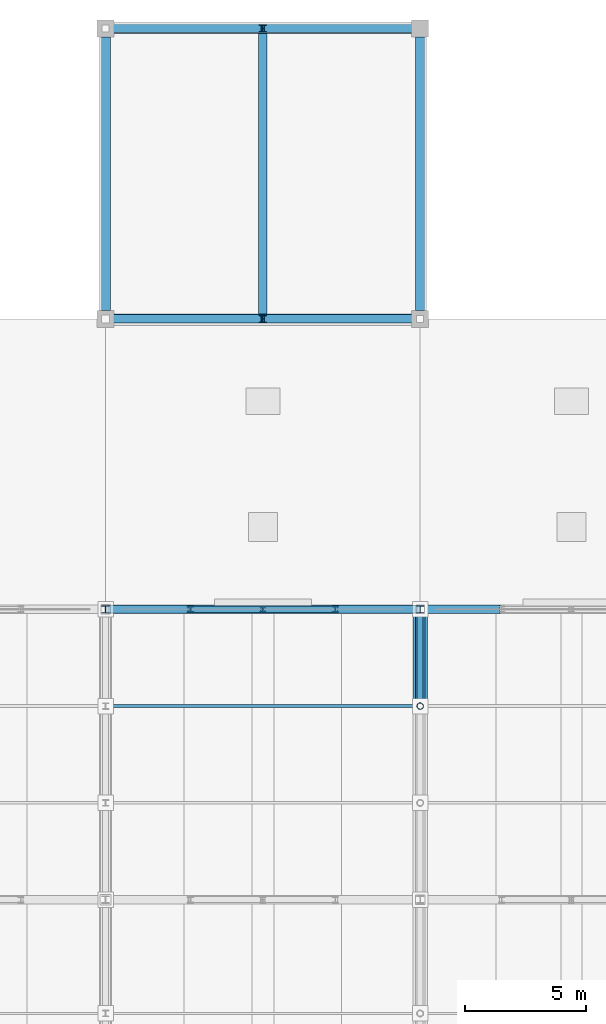
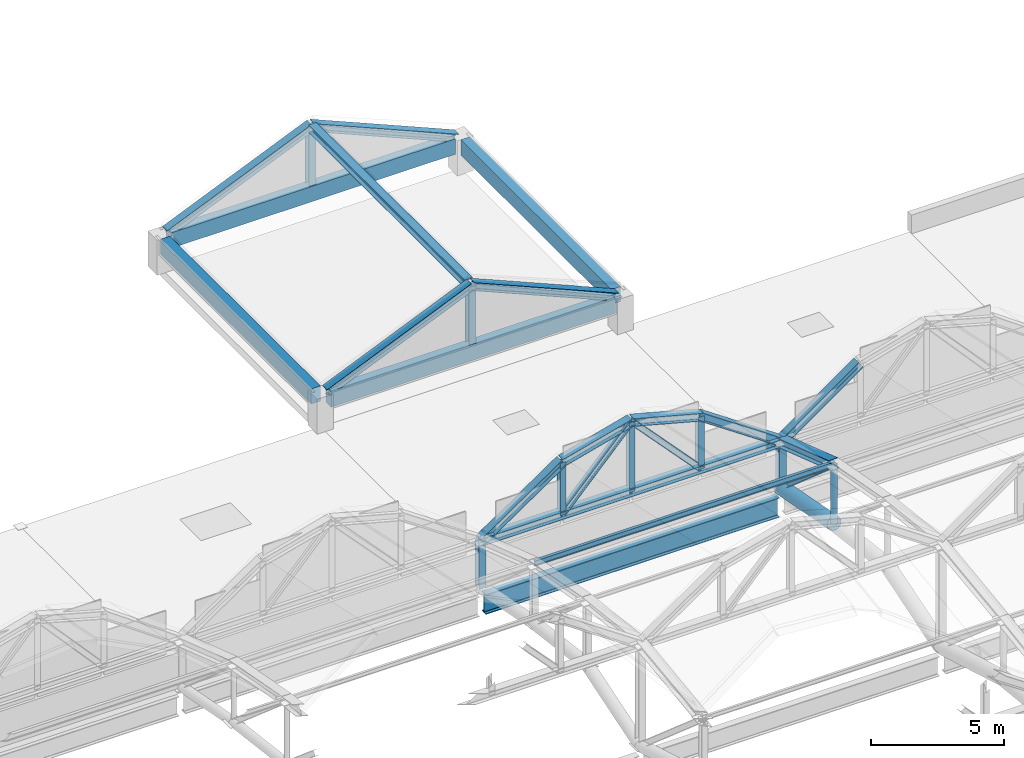
# One storey, part 84 of 117: 25 members, 5 beams.
"""IFC4 building model written with IfcOpenShell, lengths in metres."""

import ifcopenshell
import ifcopenshell.guid

model = None  # the IFC model being written
_history = None  # IfcOwnerHistory: only IFC2X3 demands one
_inside = {}  # id of a spatial element -> (the spatial element, [elements in it])
_under = {}  # id of a project, library or spatial element -> (it, [spatial elements below it])
_declared = {}  # id of a project -> (the project, [libraries it declares])
_typed = {}  # id of a type object -> (the type object, [elements of that type])
_made_of = {}  # id of a material, layer set ... -> (it, [elements and type objects made of it])


def new_model(schema):
    """Start an empty IFC model of exactly this schema.

    Asked for "IFC4X3", IfcOpenShell would pick the latest addendum, in which some entities
    have other attributes; the version numbers below select the first issue.
    IFC2X3 requires an IfcOwnerHistory on every rooted entity: one is made here for all.
    """
    global model, _history
    if schema == "IFC4X3":
        model = ifcopenshell.file(schema_version=(4, 3, 0, 0))
    else:
        model = ifcopenshell.file(schema=schema)
    _inside.clear()
    _under.clear()
    _declared.clear()
    _typed.clear()
    _made_of.clear()
    _history = None
    if model.schema == "IFC2X3":
        org = make("IfcOrganization", Name="unknown")
        user = make(
            "IfcPersonAndOrganization",
            ThePerson=make("IfcPerson", FamilyName="unknown"),
            TheOrganization=org,
        )
        app = make(
            "IfcApplication",
            ApplicationDeveloper=org,
            Version="unknown",
            ApplicationFullName="unknown",
            ApplicationIdentifier="unknown",
        )
        _history = make(
            "IfcOwnerHistory",
            OwningUser=user,
            OwningApplication=app,
            ChangeAction="ADDED",
            CreationDate=0,
        )
    return model


def make(cls, **values):
    """One entity of the class cls with the attributes given. An attribute that is None is left unset."""
    return model.create_entity(
        cls, **{name: value for name, value in values.items() if value is not None}
    )


def rooted(cls, **values):
    """An entity with a GlobalId (a new one), such as an element, a storey or a relation."""
    return make(cls, GlobalId=ifcopenshell.guid.new(), OwnerHistory=_history, **values)


def si_unit(unit_type, name, prefix=None):
    """IfcSIUnit, for example si_unit("LENGTHUNIT", "METRE", prefix="MILLI")."""
    return make("IfcSIUnit", UnitType=unit_type, Prefix=prefix, Name=name)


def assignment(units):
    """IfcUnitAssignment: the units of a project."""
    return None if units is None else make("IfcUnitAssignment", Units=units)


def point(xyz):
    """IfcCartesianPoint."""
    return None if xyz is None else make("IfcCartesianPoint", Coordinates=xyz)


def direction(xyz):
    """IfcDirection."""
    return None if xyz is None else make("IfcDirection", DirectionRatios=xyz)


def frame(location, z_axis=None, x_axis=None):
    """IfcAxis2Placement3D, a coordinate frame: its origin and axes. An axis left out is left unset."""
    return make(
        "IfcAxis2Placement3D",
        Location=point(location),
        Axis=direction(z_axis),
        RefDirection=direction(x_axis),
    )


def frame_2d(location, x_axis=None):
    """IfcAxis2Placement2D, a coordinate frame in the plane: its origin and x axis."""
    return make(
        "IfcAxis2Placement2D", Location=point(location), RefDirection=direction(x_axis)
    )


def origin():
    """The frame at (0, 0, 0) with its axes left unset."""
    return frame((0.0, 0.0, 0.0))


def origin_2d():
    """The frame at (0, 0) in the plane with its x axis left unset."""
    return frame_2d((0.0, 0.0))


def place(relative_to, where):
    """IfcLocalPlacement: puts the frame where relative to a parent placement (None: the world)."""
    return make(
        "IfcLocalPlacement", PlacementRelTo=relative_to, RelativePlacement=where
    )


def context(
    kind, dimensions, precision=None, world=None, true_north=None, identifier=None
):
    """IfcGeometricRepresentationContext, for example the 3D "Model" context."""
    return make(
        "IfcGeometricRepresentationContext",
        ContextIdentifier=identifier,
        ContextType=kind,
        CoordinateSpaceDimension=dimensions,
        Precision=precision,
        WorldCoordinateSystem=world,
        TrueNorth=true_north,
    )


def subcontext(parent, identifier, kind, view, scale=None):
    """IfcGeometricRepresentationSubContext, for example "Body" below "Model"."""
    return make(
        "IfcGeometricRepresentationSubContext",
        ContextIdentifier=identifier,
        ContextType=kind,
        ParentContext=parent,
        TargetScale=scale,
        TargetView=view,
    )


def project(units=None, contexts=None):
    """IfcProject with its units and contexts."""
    return rooted(
        "IfcProject",
        Name="project",
        RepresentationContexts=contexts,
        UnitsInContext=assignment(units),
    )


def spatial(cls, under=None, at=None, **own):
    """A site, building, storey or space (cls), placed at a placement, below another one or the project."""
    s = rooted(cls, ObjectPlacement=at, **own)
    if under is not None:
        _under.setdefault(under.id(), (under, []))[1].append(s)
    return s


def profile(cls, at=None, kind="AREA", **sizes):
    """A parametric profile (cls). Its sizes go by their IFC names, for example OverallWidth=200.0."""
    return make(cls, ProfileType=kind, Position=at, **sizes)


def rectangle(**sizes):
    """IfcRectangleProfileDef."""
    return profile("IfcRectangleProfileDef", **sizes)


def hollow_circle(**sizes):
    """IfcCircleHollowProfileDef."""
    return profile("IfcCircleHollowProfileDef", **sizes)


def i_section(**sizes):
    """IfcIShapeProfileDef."""
    return profile("IfcIShapeProfileDef", **sizes)


def extrude(swept, where, along, depth):
    """IfcExtrudedAreaSolid: the profile swept, set in the frame where, extruded along a direction by depth."""
    return make(
        "IfcExtrudedAreaSolid",
        SweptArea=swept,
        Position=where,
        ExtrudedDirection=direction(along),
        Depth=depth,
    )


def shape(context_of_items, identifier, shape_type, items):
    """IfcShapeRepresentation: the items that make up one representation, for example the "Body"."""
    return make(
        "IfcShapeRepresentation",
        ContextOfItems=context_of_items,
        RepresentationIdentifier=identifier,
        RepresentationType=shape_type,
        Items=items,
    )


def material(Name=None, Category=None):
    """IfcMaterial."""
    return make("IfcMaterial", Name=Name, Category=Category)


def material_profile(
    of_material, cross_section, Name=None, Category=None, Priority=None
):
    """IfcMaterialProfile: a cross section and its material."""
    return make(
        "IfcMaterialProfile",
        Name=Name,
        Material=of_material,
        Profile=cross_section,
        Priority=Priority,
        Category=Category,
    )


def profile_set(profiles, Name=None, composite=None):
    """IfcMaterialProfileSet."""
    return make(
        "IfcMaterialProfileSet",
        Name=Name,
        MaterialProfiles=profiles,
        CompositeProfile=composite,
    )


def made_of(thing, what):
    """Note that an element or type object is made of a material, layer set ...; save() writes the relation."""
    if what is not None:
        _made_of.setdefault(what.id(), (what, []))[1].append(thing)
    return thing


def type_object(cls, material=None, **own):
    """A type object (cls), such as IfcWallType, which elements share."""
    return made_of(rooted(cls, **own), material)


def element(
    cls,
    number,
    at=None,
    inside=None,
    cuts=None,
    type_object=None,
    material=None,
    context=None,
    identifier="Body",
    shape_type=None,
    held_by="IfcProductDefinitionShape",
    body=None,
    shapes=None,
    **own,
):
    """One element of the class cls, such as IfcWall. Its Tag is "e" and its number.

    at: its placement. inside: the storey or other place that contains it. cuts: it is an
    opening in that element (IfcRelVoidsElement). A single representation is given by context,
    identifier, shape_type and body (its items); several are given by shapes. held_by: the class
    of the entity that holds the representations. save() writes the other relations.
    """
    e = rooted(cls, Tag="e%d" % number, ObjectPlacement=at, **own)
    if body is not None:
        shapes = [shape(context, identifier, shape_type, body)]
    if shapes is not None:
        e.Representation = make(held_by, Representations=shapes)
    if inside is not None:
        _inside.setdefault(inside.id(), (inside, []))[1].append(e)
    if cuts is not None:
        rooted(
            "IfcRelVoidsElement", RelatingBuildingElement=cuts, RelatedOpeningElement=e
        )
    if type_object is not None:
        _typed.setdefault(type_object.id(), (type_object, []))[1].append(e)
    return made_of(e, material)


def aggregate(whole, parts):
    """IfcRelAggregates: a whole, such as a stair, and the parts it consists of."""
    return rooted("IfcRelAggregates", RelatingObject=whole, RelatedObjects=parts)


def save(model, path):
    """Write the relations noted so far, then the file.

    IfcRelAggregates (storeys below a building ...), IfcRelContainedInSpatialStructure (elements
    in a storey), IfcRelDefinesByType, IfcRelAssociatesMaterial and IfcRelDeclares: one each for
    every whole, place, type object, material and project.
    """
    for whole, parts in _under.values():
        aggregate(whole, parts)
    for where, things in _inside.values():
        rooted(
            "IfcRelContainedInSpatialStructure",
            RelatedElements=things,
            RelatingStructure=where,
        )
    for kind, things in _typed.values():
        rooted("IfcRelDefinesByType", RelatedObjects=things, RelatingType=kind)
    for what, things in _made_of.values():
        rooted("IfcRelAssociatesMaterial", RelatedObjects=things, RelatingMaterial=what)
    for by, libraries in _declared.values():
        rooted("IfcRelDeclares", RelatingContext=by, RelatedDefinitions=libraries)
    model.write(path)


model = new_model("IFC4")

# Units and contexts
model_context = context("Model", 3, precision=1e-05, world=origin(), true_north=direction((0.0, 1.0)))
body_context = subcontext(model_context, "Body", "Model", "MODEL_VIEW")
ifc_project = project(units=[si_unit("LENGTHUNIT", "METRE"), si_unit("AREAUNIT", "SQUARE_METRE"), si_unit("VOLUMEUNIT", "CUBIC_METRE"), si_unit("PLANEANGLEUNIT", "RADIAN"), si_unit("MASSUNIT", "GRAM", prefix="KILO")], contexts=[model_context])

# Site, building, storey
site_placement = place(None, origin())
site = spatial("IfcSite", under=ifc_project, at=site_placement, CompositionType="ELEMENT")
building_placement = place(site_placement, origin())
building = spatial("IfcBuilding", under=site, at=building_placement, Name="Kazenohara Klinker Stadium", CompositionType="ELEMENT")
storey_placement = place(building_placement, frame((0.0, 0.0, 31.199951171875)))
storey = spatial("IfcBuildingStorey", under=building, at=storey_placement, Name="RF", CompositionType="ELEMENT", Elevation=31.199951171875)

# Beams
ifc_material_1 = material(Name="Concrete C40/50", Category="concrete")
ifc_material_profile_1 = material_profile(ifc_material_1, rectangle(XDim=0.39990234375, YDim=0.699951171875, at=origin_2d()), Name="RC-BM-400x700")
ifc_profile_set_1 = profile_set([ifc_material_profile_1], Name="Concrete C40/50")
beam_type_1 = type_object("IfcBeamType", Name="BM-RC04", PredefinedType="BEAM", material=ifc_profile_set_1)
for number, where, z_axis, x_axis, name in (
    (1, (112.35009765625, 156.0, 1.25), (1.0, 0.0, 0.0), (0.0, 1.0, 0.0), "Turret crown eave girder BG04 RF X9-13"),
    (2, (112.35009765625, 168.0, 1.25), (1.0, 0.0, 0.0), (0.0, 1.0, 0.0), "Turret crown eave girder BG04 RF X9-14"),
):
    element("IfcBeam", number, at=place(storey_placement, frame(where, z_axis=z_axis, x_axis=x_axis)), inside=storey, type_object=beam_type_1, Name=name, PredefinedType="BEAM", context=body_context, shape_type="SweptSolid", body=[
        extrude(rectangle(XDim=0.39990234375, YDim=0.699951171875, at=origin_2d()), origin(), (0.0, 0.0, 1.0), 12.2998046875),
    ])
for number, where, z_axis, x_axis, name in (
    (3, (112.0, 156.35009765625, 1.25), (0.0, 1.0, 0.0), (-1.0, 0.0, 0.0), "Turret crown eave girder BG04 RF Y9-13"),
    (4, (125.0, 156.35009765625, 1.25), (0.0, 1.0, 0.0), (-1.0, 0.0, 0.0), "Turret crown eave girder BG04 RF Y10-13"),
):
    element("IfcBeam", number, at=place(storey_placement, frame(where, z_axis=z_axis, x_axis=x_axis)), inside=storey, type_object=beam_type_1, Name=name, PredefinedType="BEAM", context=body_context, shape_type="SweptSolid", body=[
        extrude(rectangle(XDim=0.39990234375, YDim=0.699951171875, at=origin_2d()), origin(), (0.0, 0.0, 1.0), 11.2998046875),
    ])

# Members
ifc_material_2 = material(Name="Steel S355", Category="steel")
ifc_material_profile_2 = material_profile(ifc_material_2, i_section(OverallWidth=0.25, OverallDepth=0.25, WebThickness=0.009033203125, FlangeThickness=0.013916015625, FilletRadius=0.012939453125, at=origin_2d()), Name="H-250x250x9x14")
ifc_profile_set_2 = profile_set([ifc_material_profile_2], Name="Steel S355")
member_type_1 = type_object("IfcMemberType", Name="MEM-BRC02", PredefinedType="BRACE", material=ifc_profile_set_2)
member_1_placement = place(storey_placement, frame((125.0, 144.0, -0.02001953125), z_axis=(0.0, -0.755380190588, 0.655286782765), x_axis=(1.0, 0.0, 0.0)))
element("IfcMember", 5, at=member_1_placement, inside=storey, type_object=member_type_1, Name="ROOF TRUSS RT-N06 web diagonal 1", PredefinedType="BRACE", context=body_context, shape_type="SweptSolid", body=[
    extrude(i_section(OverallWidth=0.25, OverallDepth=0.25, WebThickness=0.009033203125, FlangeThickness=0.013916015625, FilletRadius=0.012939453125, at=origin_2d()), origin(), (0.0, 0.0, 1.0), 5.29541015625),
])
ifc_material_profile_3 = material_profile(ifc_material_2, i_section(OverallWidth=0.39990234375, OverallDepth=0.39990234375, WebThickness=0.012939453125, FlangeThickness=0.02099609375, FilletRadius=0.02197265625, at=origin_2d()), Name="H-400x400x13x21")
ifc_profile_set_3 = profile_set([ifc_material_profile_3], Name="Steel S355")
member_type_2 = type_object("IfcMemberType", Name="MEM-CHD01", PredefinedType="CHORD", material=ifc_profile_set_3)
member_2_placement = place(storey_placement, frame((125.0, 144.0, 2.10009765625), z_axis=(0.0, -0.947502791724, 0.319747493618), x_axis=(1.0, 0.0, 0.0)))
element("IfcMember", 6, at=member_2_placement, inside=storey, type_object=member_type_2, Name="ROOF TRUSS RT-N06 top arched chord 1", PredefinedType="CHORD", context=body_context, shape_type="SweptSolid", body=[
    extrude(i_section(OverallWidth=0.39990234375, OverallDepth=0.39990234375, WebThickness=0.012939453125, FlangeThickness=0.02099609375, FilletRadius=0.02197265625, at=origin_2d()), origin(), (0.0, 0.0, 1.0), 4.2216796875),
])
ifc_material_profile_4 = material_profile(ifc_material_2, i_section(OverallWidth=0.35009765625, OverallDepth=0.35009765625, WebThickness=0.011962890625, FlangeThickness=0.01904296875, FilletRadius=0.012939453125, at=origin_2d()), Name="H-350x350x12x19")
ifc_profile_set_4 = profile_set([ifc_material_profile_4], Name="Steel S355")
member_type_3 = type_object("IfcMemberType", Name="MEM-CHD02", PredefinedType="CHORD", material=ifc_profile_set_4)
for number, where, z_axis, x_axis, name in (
    (7, (112.25, 156.0, 1.580078125), (0.919605194711, 0.0, 0.392843844116), (0.0, 1.0, 0.0), "Crown gable rafter NBST-09 S West"),
    (8, (124.75, 156.0, 1.580078125), (-0.919605194711, 0.0, 0.392843844116), (0.0, -1.0, 0.0), "Crown gable rafter NBST-09 S East"),
    (9, (112.25, 168.0, 1.580078125), (0.919605194711, 0.0, 0.392843844116), (0.0, 1.0, 0.0), "Crown gable rafter NBST-09 N West"),
    (10, (124.75, 168.0, 1.580078125), (-0.919605194711, 0.0, 0.392843844116), (0.0, -1.0, 0.0), "Crown gable rafter NBST-09 N East"),
):
    element("IfcMember", number, at=place(storey_placement, frame(where, z_axis=z_axis, x_axis=x_axis)), inside=storey, type_object=member_type_3, Name=name, PredefinedType="CHORD", context=body_context, shape_type="SweptSolid", body=[
        extrude(i_section(OverallWidth=0.35009765625, OverallDepth=0.35009765625, WebThickness=0.011962890625, FlangeThickness=0.01904296875, FilletRadius=0.012939453125, at=origin_2d()), origin(), (0.0, 0.0, 1.0), 6.79638671875),
    ])
member_3_placement = place(storey_placement, frame((118.5, 156.14990234375, 4.25), z_axis=(0.0, 1.0, 0.0), x_axis=(-1.0, 0.0, 0.0)))
element("IfcMember", 11, at=member_3_placement, inside=storey, type_object=member_type_3, Name="Crown ridge beam NBST-09", PredefinedType="CHORD", context=body_context, shape_type="SweptSolid", body=[
    extrude(i_section(OverallWidth=0.35009765625, OverallDepth=0.35009765625, WebThickness=0.011962890625, FlangeThickness=0.01904296875, FilletRadius=0.012939453125, at=origin_2d()), origin(), (0.0, 0.0, 1.0), 11.7001953125),
])
member_4_placement = place(storey_placement, frame((112.0, 144.0, 2.10009765625), z_axis=(1.0, 0.0, 0.0), x_axis=(0.0, 1.0, 0.0)))
element("IfcMember", 12, at=member_4_placement, inside=storey, type_object=member_type_3, Name="Barrel arch tie chord TC02 N-05-N0", PredefinedType="CHORD", context=body_context, shape_type="SweptSolid", body=[
    extrude(i_section(OverallWidth=0.35009765625, OverallDepth=0.35009765625, WebThickness=0.011962890625, FlangeThickness=0.01904296875, FilletRadius=0.012939453125, at=origin_2d()), origin(), (0.0, 0.0, 1.0), 13.0),
])
member_5_placement = place(storey_placement, frame((112.0, 144.0, 2.10009765625), z_axis=(0.825491711615, 0.0, 0.56441423977), x_axis=(0.0, 1.0, 0.0)))
element("IfcMember", 13, at=member_5_placement, inside=storey, type_object=member_type_3, Name="Barrel arch top rib TC02 N-05-N0-S1", PredefinedType="CHORD", context=body_context, shape_type="SweptSolid", body=[
    extrude(i_section(OverallWidth=0.35009765625, OverallDepth=0.35009765625, WebThickness=0.011962890625, FlangeThickness=0.01904296875, FilletRadius=0.012939453125, at=origin_2d()), origin(), (0.0, 0.0, 1.0), 4.251953125),
])
for number, where, z_axis, x_axis, name in (
    (14, (115.510009765625, 144.0, 4.5), (0.966015959624, 0.0, 0.258482428324), (0.0, 1.0, 0.0), "Barrel arch top rib TC02 N-05-N0-S2"),
    (15, (118.5, 144.0, 5.300048828125), (0.966015959624, 0.0, -0.258482428324), (0.0, 1.0, 0.0), "Barrel arch top rib TC02 N-05-N0-S3"),
):
    element("IfcMember", number, at=place(storey_placement, frame(where, z_axis=z_axis, x_axis=x_axis)), inside=storey, type_object=member_type_3, Name=name, PredefinedType="CHORD", context=body_context, shape_type="SweptSolid", body=[
        extrude(i_section(OverallWidth=0.35009765625, OverallDepth=0.35009765625, WebThickness=0.011962890625, FlangeThickness=0.01904296875, FilletRadius=0.012939453125, at=origin_2d()), origin(), (0.0, 0.0, 1.0), 3.09521484375),
    ])
member_6_placement = place(storey_placement, frame((121.489990234375, 144.0, 4.5), z_axis=(0.825491711615, 0.0, -0.56441423977), x_axis=(0.0, 1.0, 0.0)))
element("IfcMember", 16, at=member_6_placement, inside=storey, type_object=member_type_3, Name="Barrel arch top rib TC02 N-05-N0-S4", PredefinedType="CHORD", context=body_context, shape_type="SweptSolid", body=[
    extrude(i_section(OverallWidth=0.35009765625, OverallDepth=0.35009765625, WebThickness=0.011962890625, FlangeThickness=0.01904296875, FilletRadius=0.012939453125, at=origin_2d()), origin(), (0.0, 0.0, 1.0), 4.251953125),
])
member_7_placement = place(storey_placement, frame((125.0, 144.0, 2.10009765625), z_axis=(0.814966461491, 0.0, 0.579508124744), x_axis=(0.0, 1.0, 0.0)))
element("IfcMember", 17, at=member_7_placement, inside=storey, type_object=member_type_3, Name="Barrel arch top rib TC02 N-06-N0-S1", PredefinedType="CHORD", context=body_context, shape_type="SweptSolid", body=[
    extrude(i_section(OverallWidth=0.35009765625, OverallDepth=0.35009765625, WebThickness=0.011962890625, FlangeThickness=0.01904296875, FilletRadius=0.012939453125, at=origin_2d()), origin(), (0.0, 0.0, 1.0), 4.141357421875),
])
ifc_material_profile_5 = material_profile(ifc_material_2, hollow_circle(Radius=0.3046875, WallThickness=0.01611328125, at=origin_2d()), Name="CHS-609.6x16")
ifc_profile_set_5 = profile_set([ifc_material_profile_5], Name="Steel S355")
member_type_4 = type_object("IfcMemberType", Name="MEM-CHD05", PredefinedType="CHORD", material=ifc_profile_set_5)
member_8_placement = place(storey_placement, frame((125.0, 144.0, -0.02001953125), z_axis=(0.0, -0.981970519692, 0.189034119819), x_axis=(1.0, 0.0, 0.0)))
element("IfcMember", 18, at=member_8_placement, inside=storey, type_object=member_type_4, Name="ROOF TRUSS RT-N06 bottom arched chord 1", PredefinedType="CHORD", context=body_context, shape_type="SweptSolid", body=[
    extrude(hollow_circle(Radius=0.3046875, WallThickness=0.01611328125, at=origin_2d()), origin(), (0.0, 0.0, 1.0), 4.073486328125),
])
ifc_material_profile_6 = material_profile(ifc_material_2, i_section(OverallWidth=0.125, OverallDepth=0.25, WebThickness=0.006103515625, FlangeThickness=0.009033203125, FilletRadius=0.008056640625, at=origin_2d()), Name="H-250x125x6x9")
ifc_profile_set_6 = profile_set([ifc_material_profile_6], Name="Steel S355")
member_type_5 = type_object("IfcMemberType", Name="MEM-PUR01", PredefinedType="PURLIN", material=ifc_profile_set_6)
member_9_placement = place(storey_placement, frame((112.0, 140.0, 3.469970703125), z_axis=(1.0, 0.0, 0.0), x_axis=(0.0, 1.0, 0.0)))
element("IfcMember", 19, at=member_9_placement, inside=storey, type_object=member_type_5, Name="Canopy valley tie purlin PR01 N-05-N1", PredefinedType="PURLIN", context=body_context, shape_type="SweptSolid", body=[
    extrude(i_section(OverallWidth=0.125, OverallDepth=0.25, WebThickness=0.006103515625, FlangeThickness=0.009033203125, FilletRadius=0.008056640625, at=origin_2d()), origin(), (0.0, 0.0, 1.0), 13.0),
])
ifc_material_profile_7 = material_profile(ifc_material_2, i_section(OverallWidth=0.300048828125, OverallDepth=0.300048828125, WebThickness=0.010009765625, FlangeThickness=0.014892578125, FilletRadius=0.012939453125, at=origin_2d()), Name="H-300x300x10x15")
ifc_profile_set_7 = profile_set([ifc_material_profile_7], Name="Steel S355")
member_type_6 = type_object("IfcMemberType", Name="MEM-STR01", PredefinedType="STRUT", material=ifc_profile_set_7)
for number, where, z_axis, x_axis, name in (
    (20, (118.5, 156.0, 1.580078125), (0.0, 0.0, 1.0), (1.0, 0.0, 0.0), "Crown gable king-post NBST-09 S"),
    (21, (118.5, 168.0, 1.580078125), (0.0, 0.0, 1.0), (1.0, 0.0, 0.0), "Crown gable king-post NBST-09 N"),
):
    element("IfcMember", number, at=place(storey_placement, frame(where, z_axis=z_axis, x_axis=x_axis)), inside=storey, type_object=member_type_6, Name=name, PredefinedType="STRUT", context=body_context, shape_type="SweptSolid", body=[
        extrude(i_section(OverallWidth=0.300048828125, OverallDepth=0.300048828125, WebThickness=0.010009765625, FlangeThickness=0.014892578125, FilletRadius=0.012939453125, at=origin_2d()), origin(), (0.0, 0.0, 1.0), 2.669921875),
    ])
for number, where, z_axis, x_axis, name in (
    (22, (112.0, 144.0, -0.02001953125), (0.0, 0.0, 1.0), (1.0, 0.0, 0.0), "ROOF TRUSS RT-N05 web post 1"),
    (23, (125.0, 144.0, -0.02001953125), (0.0, 0.0, 1.0), (1.0, 0.0, 0.0), "ROOF TRUSS RT-N06 web post 1"),
):
    element("IfcMember", number, at=place(storey_placement, frame(where, z_axis=z_axis, x_axis=x_axis)), inside=storey, type_object=member_type_6, Name=name, PredefinedType="STRUT", context=body_context, shape_type="SweptSolid", body=[
        extrude(i_section(OverallWidth=0.300048828125, OverallDepth=0.300048828125, WebThickness=0.010009765625, FlangeThickness=0.014892578125, FilletRadius=0.012939453125, at=origin_2d()), origin(), (0.0, 0.0, 1.0), 2.1201171875),
    ])
ifc_material_profile_8 = material_profile(ifc_material_2, i_section(OverallWidth=0.25, OverallDepth=0.25, WebThickness=0.009033203125, FlangeThickness=0.013916015625, FilletRadius=0.012939453125, at=origin_2d()), Name="H-250x250x9x14")
ifc_profile_set_8 = profile_set([ifc_material_profile_8], Name="Steel S355")
member_type_7 = type_object("IfcMemberType", Name="MEM-STR02", PredefinedType="STRUT", material=ifc_profile_set_8)
member_10_placement = place(storey_placement, frame((115.510009765625, 144.0, 2.10009765625), z_axis=(0.0, 0.0, 1.0), x_axis=(1.0, 0.0, 0.0)))
element("IfcMember", 24, at=member_10_placement, inside=storey, type_object=member_type_7, Name="Barrel arch web post TS02 N-05-N0-P1", PredefinedType="STRUT", context=body_context, shape_type="SweptSolid", body=[
    extrude(i_section(OverallWidth=0.25, OverallDepth=0.25, WebThickness=0.009033203125, FlangeThickness=0.013916015625, FilletRadius=0.012939453125, at=origin_2d()), origin(), (0.0, 0.0, 1.0), 2.39990234375),
])
member_11_placement = place(storey_placement, frame((118.5, 144.0, 2.10009765625), z_axis=(0.0, 0.0, 1.0), x_axis=(1.0, 0.0, 0.0)))
element("IfcMember", 25, at=member_11_placement, inside=storey, type_object=member_type_7, Name="Barrel arch web post TS02 N-05-N0-P2", PredefinedType="STRUT", context=body_context, shape_type="SweptSolid", body=[
    extrude(i_section(OverallWidth=0.25, OverallDepth=0.25, WebThickness=0.009033203125, FlangeThickness=0.013916015625, FilletRadius=0.012939453125, at=origin_2d()), origin(), (0.0, 0.0, 1.0), 3.199951171875),
])
member_12_placement = place(storey_placement, frame((121.489990234375, 144.0, 2.10009765625), z_axis=(0.0, 0.0, 1.0), x_axis=(1.0, 0.0, 0.0)))
element("IfcMember", 26, at=member_12_placement, inside=storey, type_object=member_type_7, Name="Barrel arch web post TS02 N-05-N0-P3", PredefinedType="STRUT", context=body_context, shape_type="SweptSolid", body=[
    extrude(i_section(OverallWidth=0.25, OverallDepth=0.25, WebThickness=0.009033203125, FlangeThickness=0.013916015625, FilletRadius=0.012939453125, at=origin_2d()), origin(), (0.0, 0.0, 1.0), 2.39990234375),
])
for number, where, z_axis, x_axis, name in (
    (27, (115.510009765625, 144.0, 2.10009765625), (0.682729290589, 0.0, 0.730671414366), (0.0, 1.0, 0.0), "Barrel arch web diagonal TS02 N-05-N0-D1"),
    (28, (121.489990234375, 144.0, 2.10009765625), (-0.682729290589, 0.0, 0.730671414366), (0.0, -1.0, 0.0), "Barrel arch web diagonal TS02 N-05-N0-D2"),
):
    element("IfcMember", number, at=place(storey_placement, frame(where, z_axis=z_axis, x_axis=x_axis)), inside=storey, type_object=member_type_7, Name=name, PredefinedType="STRUT", context=body_context, shape_type="SweptSolid", body=[
        extrude(i_section(OverallWidth=0.25, OverallDepth=0.25, WebThickness=0.009033203125, FlangeThickness=0.013916015625, FilletRadius=0.012939453125, at=origin_2d()), origin(), (0.0, 0.0, 1.0), 4.37939453125),
    ])
ifc_material_profile_9 = material_profile(ifc_material_2, hollow_circle(Radius=0.1337890625, WallThickness=0.009033203125, at=origin_2d()), Name="CHS-267.4x9")
ifc_profile_set_9 = profile_set([ifc_material_profile_9], Name="Steel S355")
member_type_8 = type_object("IfcMemberType", Name="MEM-STR03", PredefinedType="STRUT", material=ifc_profile_set_9)
member_13_placement = place(storey_placement, frame((125.0, 140.0, 0.75), z_axis=(0.0, 0.0, 1.0), x_axis=(1.0, 0.0, 0.0)))
element("IfcMember", 29, at=member_13_placement, inside=storey, type_object=member_type_8, Name="ROOF TRUSS RT-N06 web post 2", PredefinedType="STRUT", context=body_context, shape_type="SweptSolid", body=[
    extrude(hollow_circle(Radius=0.1337890625, WallThickness=0.009033203125, at=origin_2d()), origin(), (0.0, 0.0, 1.0), 2.699951171875),
])

# Beam
ifc_material_profile_10 = material_profile(ifc_material_2, i_section(OverallWidth=0.300048828125, OverallDepth=0.89990234375, WebThickness=0.01611328125, FlangeThickness=0.028076171875, FilletRadius=0.02197265625, at=origin_2d()), Name="H-900x300x16x28")
ifc_profile_set_10 = profile_set([ifc_material_profile_10], Name="Steel S355")
beam_type_2 = type_object("IfcBeamType", Name="RING-RB01", PredefinedType="USERDEFINED", material=ifc_profile_set_10)
beam_placement = place(storey_placement, frame((112.139892578125, 144.0, -0.820068359375), z_axis=(1.0, 0.0, 0.0), x_axis=(0.0, 1.0, 0.0)))
element("IfcBeam", 30, at=beam_placement, inside=storey, type_object=beam_type_2, Name="Roof ring beam RB01 N-OUT 10-11", ObjectType="RING BEAM", PredefinedType="USERDEFINED", context=body_context, shape_type="SweptSolid", body=[
    extrude(i_section(OverallWidth=0.300048828125, OverallDepth=0.89990234375, WebThickness=0.01611328125, FlangeThickness=0.028076171875, FilletRadius=0.02197265625, at=origin_2d()), origin(), (0.0, 0.0, 1.0), 12.72021484375),
])

save(model, "model.ifc")
